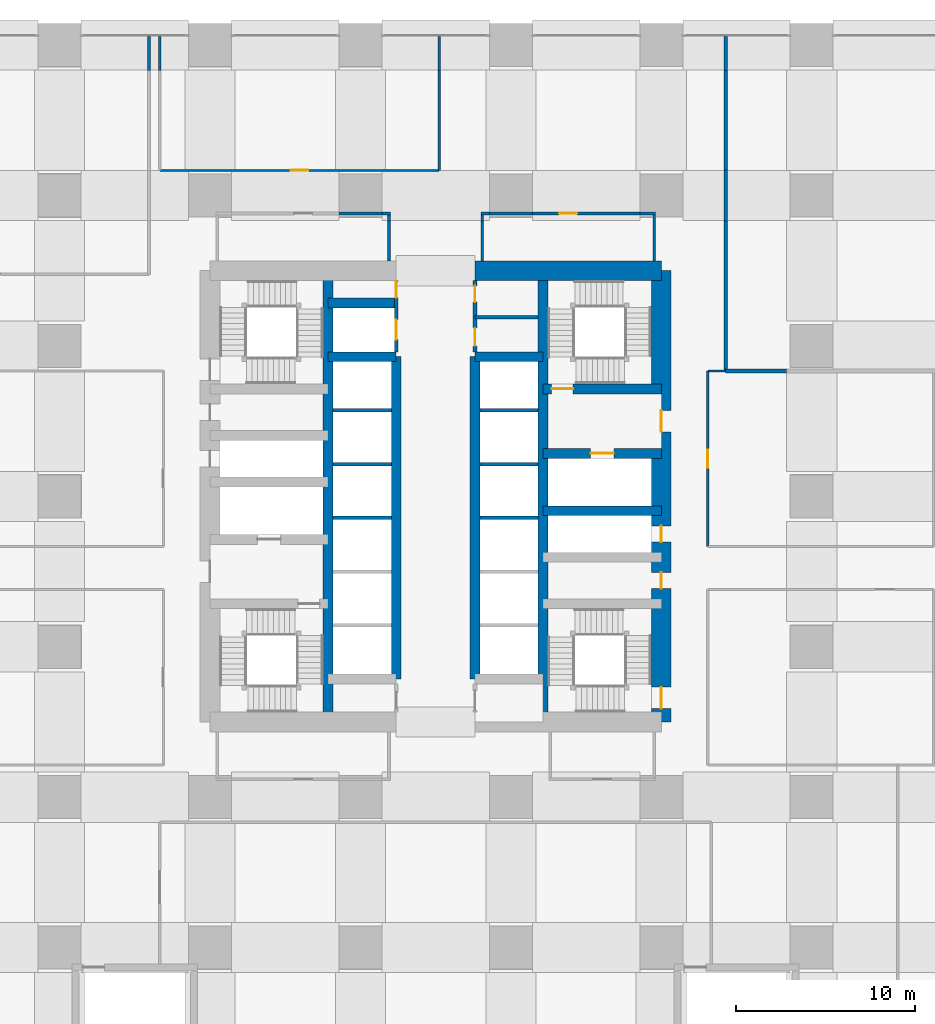
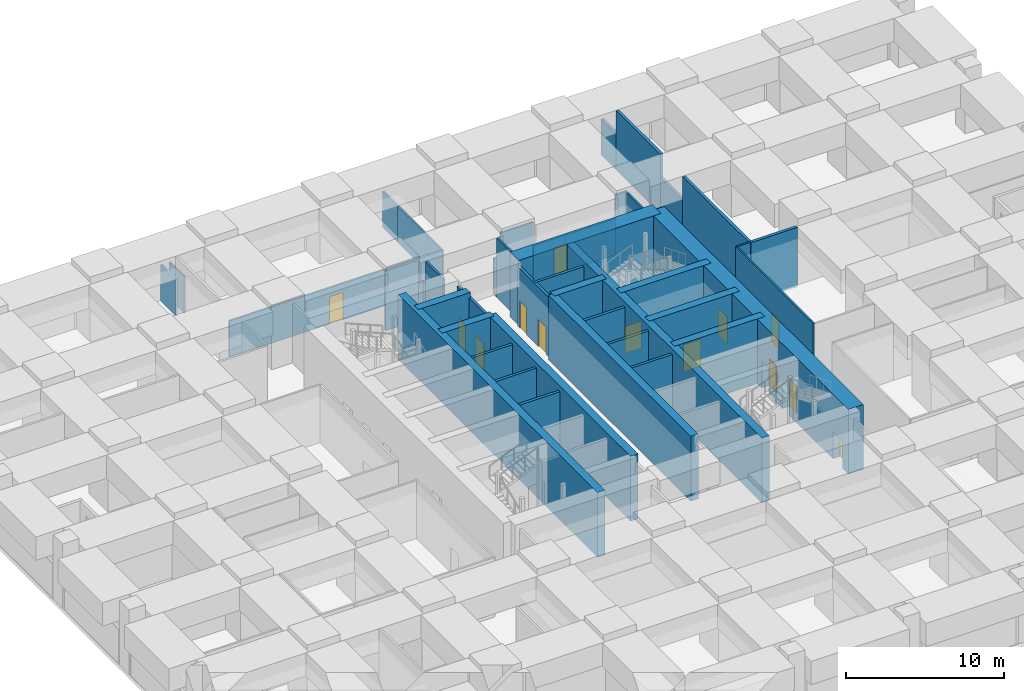
# One storey, part 41 of 52: 44 walls, 13 doors, 13 openings.
"""IFC4 building model written with IfcOpenShell, lengths in metres."""

from ifc_helpers import new_model, si_unit, direction, frame, frame_2d, origin, place, context, subcontext, project, spatial, rectangle, extrude, material, layer, layer_set, type_object, element, fill, save


model = new_model("IFC4")

# Units and contexts
model_context = context("Model", 3, precision=1e-05, world=origin(), true_north=direction((0.0, 1.0)))
body_context = subcontext(model_context, "Body", "Model", "MODEL_VIEW")
ifc_project = project(units=[si_unit("LENGTHUNIT", "METRE"), si_unit("AREAUNIT", "SQUARE_METRE"), si_unit("VOLUMEUNIT", "CUBIC_METRE"), si_unit("PLANEANGLEUNIT", "RADIAN"), si_unit("MASSUNIT", "GRAM", prefix="KILO")], contexts=[model_context])

# Site, building, storey
site_placement = place(None, origin())
site = spatial("IfcSite", under=ifc_project, at=site_placement, CompositionType="ELEMENT")
building_placement = place(site_placement, origin())
building = spatial("IfcBuilding", under=site, at=building_placement, Name="Rekha Terrace Tower", CompositionType="ELEMENT")
storey_placement = place(building_placement, frame((0.0, 0.0, 20.39990234375)))
storey = spatial("IfcBuildingStorey", under=building, at=storey_placement, Name="L04", CompositionType="ELEMENT", Elevation=20.39990234375)

# Walls
ifc_material_1 = material(Name="Concrete M70", Category="concrete")
ifc_layer_1 = layer(ifc_material_1, 0.550048828125)
ifc_layer_set_1 = layer_set([ifc_layer_1], Name="Concrete M70")
wall_type_1 = type_object("IfcWallType", Name="CI1 550 core internal shear wall", PredefinedType="SHEAR", material=ifc_layer_set_1)
for number, where, z_axis, x_axis, name in (
    (1, (31.800048828125, 21.0, 0.0), (0.0, 0.0, 1.0), (0.0, 1.0, 0.0), "Core wall X318 L04"),
    (2, (43.800048828125, 21.0, 0.0), (0.0, 0.0, 1.0), (0.0, 1.0, 0.0), "Core wall X438 L04"),
):
    element("IfcWall", number, at=place(storey_placement, frame(where, z_axis=z_axis, x_axis=x_axis)), inside=storey, type_object=wall_type_1, Name=name, PredefinedType="SHEAR", context=body_context, shape_type="SweptSolid", body=[
        extrude(rectangle(XDim=25.199951171875, YDim=0.550048828125, at=frame_2d((12.60009765625, 0.0))), origin(), (0.0, 0.0, 1.0), 5.0),
    ])
for number, where, z_axis, x_axis, name in (
    (3, (35.60009765625, 23.39990234375, 0.0), (0.0, 0.0, 1.0), (0.0, 1.0, 0.0), "Core wall X356 L04"),
    (4, (40.0, 23.39990234375, 0.0), (0.0, 0.0, 1.0), (0.0, 1.0, 0.0), "Core wall X400 L04"),
):
    element("IfcWall", number, at=place(storey_placement, frame(where, z_axis=z_axis, x_axis=x_axis)), inside=storey, type_object=wall_type_1, Name=name, PredefinedType="SHEAR", context=body_context, shape_type="SweptSolid", body=[
        extrude(rectangle(XDim=18.0, YDim=0.550048828125, at=frame_2d((9.0, 0.0))), origin(), (0.0, 0.0, 1.0), 5.0),
    ])
for number, where, z_axis, x_axis, name in (
    (5, (31.800048828125, 41.39990234375, 0.0), (0.0, 0.0, 1.0), (1.0, 0.0, 0.0), "Core wall Y414W L04"),
    (6, (31.800048828125, 44.39990234375, 0.0), (0.0, 0.0, 1.0), (1.0, 0.0, 0.0), "Core wall Y444W L04"),
    (7, (40.0, 41.39990234375, 0.0), (0.0, 0.0, 1.0), (1.0, 0.0, 0.0), "Core wall Y414E L04"),
):
    element("IfcWall", number, at=place(storey_placement, frame(where, z_axis=z_axis, x_axis=x_axis)), inside=storey, type_object=wall_type_1, Name=name, PredefinedType="SHEAR", context=body_context, shape_type="SweptSolid", body=[
        extrude(rectangle(XDim=3.800048828125, YDim=0.550048828125, at=frame_2d((1.89990234375, 0.0))), origin(), (0.0, 0.0, 1.0), 5.0),
    ])
wall_1_placement = place(storey_placement, frame((43.800048828125, 32.800048828125, 0.0), z_axis=(0.0, 0.0, 1.0), x_axis=(1.0, 0.0, 0.0)))
element("IfcWall", 8, at=wall_1_placement, inside=storey, type_object=wall_type_1, Name="Core wall Y328E L04", PredefinedType="SHEAR", context=body_context, shape_type="SweptSolid", body=[
    extrude(rectangle(XDim=6.599853515625, YDim=0.550048828125, at=frame_2d((3.2998046875, 0.0))), origin(), (0.0, 0.0, 1.0), 5.0),
])

# Wall, opening, door
wall_2_placement = place(storey_placement, frame((43.800048828125, 36.0, 0.0), z_axis=(0.0, 0.0, 1.0), x_axis=(1.0, 0.0, 0.0)))
wall_2 = element("IfcWall", 9, at=wall_2_placement, inside=storey, type_object=wall_type_1, Name="Core wall Y360E L04", PredefinedType="SHEAR", context=body_context, shape_type="SweptSolid", body=[
    extrude(rectangle(XDim=6.599853515625, YDim=0.550048828125, at=frame_2d((3.2998046875, 0.0))), origin(), (0.0, 0.0, 1.0), 5.0),
])
opening_1_placement = place(wall_2_placement, frame((2.64990234375, 0.0, 0.0)))
opening_1 = element("IfcOpeningElement", 10, at=opening_1_placement, cuts=wall_2, Name="Opening LD2", PredefinedType="OPENING", context=body_context, shape_type="SweptSolid", body=[
    extrude(rectangle(XDim=1.300048828125, YDim=2.10009765625, at=frame_2d((0.64990234375, 1.050048828125))), frame((0.0, 0.284912109375, 0.0), z_axis=(0.0, -1.0, 0.0), x_axis=(1.0, 0.0, 0.0)), (0.0, 0.0, 1.0), 0.570068359375),
])
ifc_material_2 = material(Name="Stainless steel sliding landing door", Category="steel")
door_type_1 = type_object("IfcDoorType", Name="LD2 1300x2100 fire lift landing door", OperationType="SLIDING_TO_LEFT", PredefinedType="USERDEFINED", material=ifc_material_2)
door_1_placement = place(opening_1_placement, origin())
door_1 = element("IfcDoor", 11, at=door_1_placement, inside=storey, type_object=door_type_1, Name="Lift FL2 landing door L04", ObjectType="LIFT LANDING DOOR", OperationType="SLIDING_TO_LEFT", OverallHeight=2.10009765625, OverallWidth=1.300048828125, PredefinedType="USERDEFINED", context=body_context, shape_type="SweptSolid", body=[
    extrude(rectangle(XDim=1.300048828125, YDim=2.10009765625, at=frame_2d((0.64990234375, 1.050048828125))), frame((0.0, 0.02490234375, 0.0), z_axis=(0.0, -1.0, 0.0), x_axis=(1.0, 0.0, 0.0)), (0.0, 0.0, 1.0), 0.050048828125),
])
fill(opening_1, door_1)

wall_3_placement = place(storey_placement, frame((43.800048828125, 39.60009765625, 0.0), z_axis=(0.0, 0.0, 1.0), x_axis=(1.0, 0.0, 0.0)))
wall_3 = element("IfcWall", 12, at=wall_3_placement, inside=storey, type_object=wall_type_1, Name="Core wall Y396E L04", PredefinedType="SHEAR", context=body_context, shape_type="SweptSolid", body=[
    extrude(rectangle(XDim=6.599853515625, YDim=0.550048828125, at=frame_2d((3.2998046875, 0.0))), origin(), (0.0, 0.0, 1.0), 5.0),
])
opening_2_placement = place(wall_3_placement, frame((0.47509765625, 0.0, 0.0)))
opening_2 = element("IfcOpeningElement", 13, at=opening_2_placement, cuts=wall_3, Name="Opening D1", PredefinedType="OPENING", context=body_context, shape_type="SweptSolid", body=[
    extrude(rectangle(XDim=1.199951171875, YDim=2.10009765625, at=frame_2d((0.60009765625, 1.050048828125))), frame((0.0, 0.284912109375, 0.0), z_axis=(0.0, -1.0, 0.0), x_axis=(1.0, 0.0, 0.0)), (0.0, 0.0, 1.0), 0.570068359375),
])
ifc_material_3 = material(Name="Steel fire door", Category="steel")
door_type_2 = type_object("IfcDoorType", Name="D1 1200x2100 stair fire door", OperationType="SINGLE_SWING_RIGHT", PredefinedType="DOOR", material=ifc_material_3)
door_2_placement = place(opening_2_placement, origin())
door_2 = element("IfcDoor", 14, at=door_2_placement, inside=storey, type_object=door_type_2, Name="Stair ST2 door L04", OperationType="SINGLE_SWING_RIGHT", OverallHeight=2.10009765625, OverallWidth=1.199951171875, PredefinedType="DOOR", context=body_context, shape_type="SweptSolid", body=[
    extrude(rectangle(XDim=1.199951171875, YDim=2.10009765625, at=frame_2d((0.60009765625, 1.050048828125))), frame((0.0, 0.02490234375, 0.0), z_axis=(0.0, -1.0, 0.0), x_axis=(1.0, 0.0, 0.0)), (0.0, 0.0, 1.0), 0.050048828125),
])
fill(opening_2, door_2)

# Wall
ifc_layer_2 = layer(ifc_material_1, 1.10009765625)
ifc_layer_set_2 = layer_set([ifc_layer_2], Name="Concrete M70")
wall_type_2 = type_object("IfcWallType", Name="SW1 1100 core outer shear wall", PredefinedType="SHEAR", material=ifc_layer_set_2)
wall_4_placement = place(storey_placement, frame((40.0, 46.199951171875, 0.0), z_axis=(0.0, 0.0, 1.0), x_axis=(1.0, 0.0, 0.0)))
element("IfcWall", 15, at=wall_4_placement, inside=storey, type_object=wall_type_2, Name="Core wall N2 L04", PredefinedType="SHEAR", context=body_context, shape_type="SweptSolid", body=[
    extrude(rectangle(XDim=10.39990234375, YDim=1.10009765625, at=frame_2d((5.199951171875, 0.0))), origin(), (0.0, 0.0, 1.0), 5.0),
])

# Wall, openings, doors
wall_5_placement = place(storey_placement, frame((50.39990234375, 21.0, 0.0), z_axis=(0.0, 0.0, 1.0), x_axis=(0.0, 1.0, 0.0)))
wall_5 = element("IfcWall", 16, at=wall_5_placement, inside=storey, type_object=wall_type_2, Name="Core wall E L04", PredefinedType="SHEAR", context=body_context, shape_type="SweptSolid", body=[
    extrude(rectangle(XDim=25.199951171875, YDim=1.10009765625, at=frame_2d((12.60009765625, 0.0))), origin(), (0.0, 0.0, 1.0), 5.0),
])
opening_3_placement = place(wall_5_placement, frame((16.199951171875, 0.0, 0.0)))
opening_3 = element("IfcOpeningElement", 17, at=opening_3_placement, cuts=wall_5, Name="Opening D2", PredefinedType="OPENING", context=body_context, shape_type="SweptSolid", body=[
    extrude(rectangle(XDim=1.199951171875, YDim=2.10009765625, at=frame_2d((0.60009765625, 1.050048828125))), frame((0.0, 0.56005859375, 0.0), z_axis=(0.0, -1.0, 0.0), x_axis=(1.0, 0.0, 0.0)), (0.0, 0.0, 1.0), 1.1201171875),
])
opening_4_placement = place(wall_5_placement, frame((10.050048828125, 0.0, 0.0)))
opening_4 = element("IfcOpeningElement", 18, at=opening_4_placement, cuts=wall_5, Name="Opening D5", PredefinedType="OPENING", context=body_context, shape_type="SweptSolid", body=[
    extrude(rectangle(XDim=0.89990234375, YDim=2.10009765625, at=frame_2d((0.449951171875, 1.050048828125))), frame((0.0, 0.56005859375, 0.0), z_axis=(0.0, -1.0, 0.0), x_axis=(1.0, 0.0, 0.0)), (0.0, 0.0, 1.0), 1.1201171875),
])
opening_5_placement = place(wall_5_placement, frame((7.449951171875, 0.0, 0.0)))
opening_5 = element("IfcOpeningElement", 19, at=opening_5_placement, cuts=wall_5, Name="Opening D5", PredefinedType="OPENING", context=body_context, shape_type="SweptSolid", body=[
    extrude(rectangle(XDim=0.89990234375, YDim=2.10009765625, at=frame_2d((0.449951171875, 1.050048828125))), frame((0.0, 0.56005859375, 0.0), z_axis=(0.0, -1.0, 0.0), x_axis=(1.0, 0.0, 0.0)), (0.0, 0.0, 1.0), 1.1201171875),
])
opening_6_placement = place(wall_5_placement, frame((0.75, 0.0, 0.0)))
opening_6 = element("IfcOpeningElement", 20, at=opening_6_placement, cuts=wall_5, Name="Opening D1", PredefinedType="OPENING", context=body_context, shape_type="SweptSolid", body=[
    extrude(rectangle(XDim=1.199951171875, YDim=2.10009765625, at=frame_2d((0.60009765625, 1.050048828125))), frame((0.0, 0.56005859375, 0.0), z_axis=(0.0, -1.0, 0.0), x_axis=(1.0, 0.0, 0.0)), (0.0, 0.0, 1.0), 1.1201171875),
])
door_3_placement = place(opening_6_placement, origin())
door_3 = element("IfcDoor", 21, at=door_3_placement, inside=storey, type_object=door_type_2, Name="Stair ST3 door L04", OperationType="SINGLE_SWING_RIGHT", OverallHeight=2.10009765625, OverallWidth=1.199951171875, PredefinedType="DOOR", context=body_context, shape_type="SweptSolid", body=[
    extrude(rectangle(XDim=1.199951171875, YDim=2.10009765625, at=frame_2d((0.60009765625, 1.050048828125))), frame((0.0, 0.02490234375, 0.0), z_axis=(0.0, -1.0, 0.0), x_axis=(1.0, 0.0, 0.0)), (0.0, 0.0, 1.0), 0.050048828125),
])
fill(opening_6, door_3)
door_type_3 = type_object("IfcDoorType", Name="D2 1200x2100 firefighting lobby door", OperationType="SINGLE_SWING_LEFT", PredefinedType="DOOR", material=ifc_material_3)
door_4_placement = place(opening_3_placement, origin())
door_4 = element("IfcDoor", 22, at=door_4_placement, inside=storey, type_object=door_type_3, Name="Door flb2 L04", OperationType="SINGLE_SWING_LEFT", OverallHeight=2.10009765625, OverallWidth=1.199951171875, PredefinedType="DOOR", context=body_context, shape_type="SweptSolid", body=[
    extrude(rectangle(XDim=1.199951171875, YDim=2.10009765625, at=frame_2d((0.60009765625, 1.050048828125))), frame((0.0, 0.02490234375, 0.0), z_axis=(0.0, -1.0, 0.0), x_axis=(1.0, 0.0, 0.0)), (0.0, 0.0, 1.0), 0.050048828125),
])
fill(opening_3, door_4)
door_type_4 = type_object("IfcDoorType", Name="D5 900x2100 riser access door", OperationType="SINGLE_SWING_LEFT", PredefinedType="DOOR", material=ifc_material_3)
door_5_placement = place(opening_4_placement, origin())
door_5 = element("IfcDoor", 23, at=door_5_placement, inside=storey, type_object=door_type_4, Name="Door rs2 L04", OperationType="SINGLE_SWING_LEFT", OverallHeight=2.10009765625, OverallWidth=0.89990234375, PredefinedType="DOOR", context=body_context, shape_type="SweptSolid", body=[
    extrude(rectangle(XDim=0.89990234375, YDim=2.10009765625, at=frame_2d((0.449951171875, 1.050048828125))), frame((0.0, 0.02490234375, 0.0), z_axis=(0.0, -1.0, 0.0), x_axis=(1.0, 0.0, 0.0)), (0.0, 0.0, 1.0), 0.050048828125),
])
fill(opening_4, door_5)
door_6_placement = place(opening_5_placement, origin())
door_6 = element("IfcDoor", 24, at=door_6_placement, inside=storey, type_object=door_type_4, Name="Door ele L04", OperationType="SINGLE_SWING_LEFT", OverallHeight=2.10009765625, OverallWidth=0.89990234375, PredefinedType="DOOR", context=body_context, shape_type="SweptSolid", body=[
    extrude(rectangle(XDim=0.89990234375, YDim=2.10009765625, at=frame_2d((0.449951171875, 1.050048828125))), frame((0.0, 0.02490234375, 0.0), z_axis=(0.0, -1.0, 0.0), x_axis=(1.0, 0.0, 0.0)), (0.0, 0.0, 1.0), 0.050048828125),
])
fill(opening_5, door_6)

# Walls
ifc_material_4 = material(Name="Solid concrete block masonry, 2 hour", Category="masonry")
ifc_layer_3 = layer(ifc_material_4, 0.199951171875)
ifc_layer_set_3 = layer_set([ifc_layer_3], Name="Solid concrete block masonry, 2 hour")
wall_type_3 = type_object("IfcWallType", Name="WP1 200 plant room wall", PredefinedType="PARTITIONING", material=ifc_layer_set_3)
wall_6_placement = place(storey_placement, frame((57.389892578125, 40.60009765625, 0.0), z_axis=(0.0, 0.0, 1.0), x_axis=(-1.0, 0.0, 0.0)))
element("IfcWall", 25, at=wall_6_placement, inside=storey, type_object=wall_type_3, Name="Partition L04-04", PredefinedType="PARTITIONING", context=body_context, shape_type="SweptSolid", body=[
    extrude(rectangle(XDim=3.389892578125, YDim=0.199951171875, at=frame_2d((1.69482421875, 0.0))), origin(), (0.0, 0.0, 1.0), 4.60009765625),
])
wall_7_placement = place(storey_placement, frame((54.0, 40.60009765625, 0.0), z_axis=(0.0, 0.0, 1.0), x_axis=(0.0, 1.0, 0.0)))
element("IfcWall", 26, at=wall_7_placement, inside=storey, type_object=wall_type_3, Name="Partition L04-04", PredefinedType="PARTITIONING", context=body_context, shape_type="SweptSolid", body=[
    extrude(rectangle(XDim=8.389892578125, YDim=0.199951171875, at=frame_2d((4.19482421875, 0.0))), origin(), (0.0, 0.0, 1.0), 4.60009765625),
])
wall_8_placement = place(storey_placement, frame((54.0, 48.989990234375, 0.0), z_axis=(0.0, 0.0, 1.0), x_axis=(0.0, 1.0, 0.0)))
element("IfcWall", 27, at=wall_8_placement, inside=storey, type_object=wall_type_3, Name="Partition L04-04", PredefinedType="PARTITIONING", context=body_context, shape_type="SweptSolid", body=[
    extrude(rectangle(XDim=2.820068359375, YDim=0.199951171875, at=frame_2d((1.41015625, 0.0))), origin(), (0.0, 0.0, 1.0), 2.800048828125),
])
wall_9_placement = place(storey_placement, frame((54.0, 51.81005859375, 0.0), z_axis=(0.0, 0.0, 1.0), x_axis=(0.0, 1.0, 0.0)))
element("IfcWall", 28, at=wall_9_placement, inside=storey, type_object=wall_type_3, Name="Partition L04-04", PredefinedType="PARTITIONING", context=body_context, shape_type="SweptSolid", body=[
    extrude(rectangle(XDim=5.579833984375, YDim=0.199951171875, at=frame_2d((2.7900390625, 0.0))), origin(), (0.0, 0.0, 1.0), 4.60009765625),
])
wall_10_placement = place(storey_placement, frame((54.0, 57.389892578125, 0.0), z_axis=(0.0, 0.0, 1.0), x_axis=(0.0, 1.0, 0.0)))
element("IfcWall", 29, at=wall_10_placement, inside=storey, type_object=wall_type_3, Name="Partition L04-04", PredefinedType="PARTITIONING", context=body_context, shape_type="SweptSolid", body=[
    extrude(rectangle(XDim=1.900146484375, YDim=0.199951171875, at=frame_2d((0.9501953125, 0.0))), origin(), (0.0, 0.0, 1.0), 2.800048828125),
])
ifc_material_5 = material(Name="Concrete block masonry, 1 hour", Category="masonry")
ifc_layer_4 = layer(ifc_material_5, 0.14990234375)
ifc_layer_set_4 = layer_set([ifc_layer_4], Name="Concrete block masonry, 1 hour")
wall_type_4 = type_object("IfcWallType", Name="WP2 150 tenancy partition", PredefinedType="PARTITIONING", material=ifc_layer_set_4)
wall_11_placement = place(storey_placement, frame((40.324951171875, 49.39990234375, 0.0), z_axis=(0.0, 0.0, 1.0), x_axis=(1.0, 0.0, 0.0)))
element("IfcWall", 30, at=wall_11_placement, inside=storey, type_object=wall_type_4, Name="Women's WC wall L04", PredefinedType="PARTITIONING", context=body_context, shape_type="SweptSolid", body=[
    extrude(rectangle(XDim=0.47509765625, YDim=0.14990234375, at=frame_2d((0.237548828125, 0.0))), origin(), (0.0, 0.0, 1.0), 2.800048828125),
])
wall_12_placement = place(storey_placement, frame((40.800048828125, 49.39990234375, 0.0), z_axis=(0.0, 0.0, 1.0), x_axis=(1.0, 0.0, 0.0)))
element("IfcWall", 31, at=wall_12_placement, inside=storey, type_object=wall_type_4, Name="Women's WC wall L04", PredefinedType="PARTITIONING", context=body_context, shape_type="SweptSolid", body=[
    extrude(rectangle(XDim=2.39990234375, YDim=0.14990234375, at=frame_2d((1.199951171875, 0.0))), origin(), (0.0, 0.0, 1.0), 4.60009765625),
])

# Wall, opening, door
wall_13_placement = place(storey_placement, frame((43.199951171875, 49.39990234375, 0.0), z_axis=(0.0, 0.0, 1.0), x_axis=(1.0, 0.0, 0.0)))
wall_13 = element("IfcWall", 32, at=wall_13_placement, inside=storey, type_object=wall_type_4, Name="Women's WC wall L04", PredefinedType="PARTITIONING", context=body_context, shape_type="SweptSolid", body=[
    extrude(rectangle(XDim=6.0, YDim=0.14990234375, at=frame_2d((3.0, 0.0))), origin(), (0.0, 0.0, 1.0), 2.800048828125),
])
opening_7_placement = place(wall_13_placement, frame((1.5, 0.0, 0.0)))
opening_7 = element("IfcOpeningElement", 33, at=opening_7_placement, cuts=wall_13, Name="Opening D3", PredefinedType="OPENING", context=body_context, shape_type="SweptSolid", body=[
    extrude(rectangle(XDim=1.0, YDim=2.10009765625, at=frame_2d((0.5, 1.050048828125))), frame((0.0, 0.0849609375, 0.0), z_axis=(0.0, -1.0, 0.0), x_axis=(1.0, 0.0, 0.0)), (0.0, 0.0, 1.0), 0.169921875),
])
ifc_material_6 = material(Name="Laminated timber fire door", Category="wood")
door_type_5 = type_object("IfcDoorType", Name="D3 1000x2100 WC door", OperationType="SINGLE_SWING_LEFT", PredefinedType="DOOR", material=ifc_material_6)
door_7_placement = place(opening_7_placement, origin())
door_7 = element("IfcDoor", 34, at=door_7_placement, inside=storey, type_object=door_type_5, Name="Door women's wc L04", OperationType="SINGLE_SWING_LEFT", OverallHeight=2.10009765625, OverallWidth=1.0, PredefinedType="DOOR", context=body_context, shape_type="SweptSolid", body=[
    extrude(rectangle(XDim=1.0, YDim=2.10009765625, at=frame_2d((0.5, 1.050048828125))), frame((0.0, 0.02490234375, 0.0), z_axis=(0.0, -1.0, 0.0), x_axis=(1.0, 0.0, 0.0)), (0.0, 0.0, 1.0), 0.050048828125),
])
fill(opening_7, door_7)

# Walls
wall_14_placement = place(storey_placement, frame((49.199951171875, 49.39990234375, 0.0), z_axis=(0.0, 0.0, 1.0), x_axis=(1.0, 0.0, 0.0)))
element("IfcWall", 35, at=wall_14_placement, inside=storey, type_object=wall_type_4, Name="Women's WC wall L04", PredefinedType="PARTITIONING", context=body_context, shape_type="SweptSolid", body=[
    extrude(rectangle(XDim=0.875, YDim=0.14990234375, at=frame_2d((0.4375, 0.0))), origin(), (0.0, 0.0, 1.0), 4.60009765625),
])
wall_15_placement = place(storey_placement, frame((40.39990234375, 46.75, 0.0), z_axis=(0.0, 0.0, 1.0), x_axis=(0.0, 1.0, 0.0)))
element("IfcWall", 36, at=wall_15_placement, inside=storey, type_object=wall_type_4, Name="Women's WC wall L04", PredefinedType="PARTITIONING", context=body_context, shape_type="SweptSolid", body=[
    extrude(rectangle(XDim=2.239990234375, YDim=0.14990234375, at=frame_2d((1.1201171875, 0.0))), origin(), (0.0, 0.0, 1.0), 4.60009765625),
])
wall_16_placement = place(storey_placement, frame((40.39990234375, 48.989990234375, 0.0), z_axis=(0.0, 0.0, 1.0), x_axis=(0.0, 1.0, 0.0)))
element("IfcWall", 37, at=wall_16_placement, inside=storey, type_object=wall_type_4, Name="Women's WC wall L04", PredefinedType="PARTITIONING", context=body_context, shape_type="SweptSolid", body=[
    extrude(rectangle(XDim=0.3349609375, YDim=0.14990234375, at=frame_2d((0.16748046875, 0.0))), origin(), (0.0, 0.0, 1.0), 2.800048828125),
])
wall_17_placement = place(storey_placement, frame((50.0, 46.75, 0.0), z_axis=(0.0, 0.0, 1.0), x_axis=(0.0, 1.0, 0.0)))
element("IfcWall", 38, at=wall_17_placement, inside=storey, type_object=wall_type_4, Name="Women's WC wall L04", PredefinedType="PARTITIONING", context=body_context, shape_type="SweptSolid", body=[
    extrude(rectangle(XDim=2.574951171875, YDim=0.14990234375, at=frame_2d((1.28759765625, 0.0))), origin(), (0.0, 0.0, 1.0), 4.60009765625),
])
wall_18_placement = place(storey_placement, frame((32.39990234375, 49.39990234375, 0.0), z_axis=(0.0, 0.0, 1.0), x_axis=(1.0, 0.0, 0.0)))
element("IfcWall", 39, at=wall_18_placement, inside=storey, type_object=wall_type_4, Name="Women's WC wall L04", PredefinedType="PARTITIONING", context=body_context, shape_type="SweptSolid", body=[
    extrude(rectangle(XDim=2.400146484375, YDim=0.14990234375, at=frame_2d((1.2001953125, 0.0))), origin(), (0.0, 0.0, 1.0), 4.60009765625),
])
wall_19_placement = place(storey_placement, frame((34.800048828125, 49.39990234375, 0.0), z_axis=(0.0, 0.0, 1.0), x_axis=(1.0, 0.0, 0.0)))
element("IfcWall", 40, at=wall_19_placement, inside=storey, type_object=wall_type_4, Name="Women's WC wall L04", PredefinedType="PARTITIONING", context=body_context, shape_type="SweptSolid", body=[
    extrude(rectangle(XDim=0.474853515625, YDim=0.14990234375, at=frame_2d((0.2373046875, 0.0))), origin(), (0.0, 0.0, 1.0), 2.800048828125),
])
wall_20_placement = place(storey_placement, frame((35.199951171875, 46.75, 0.0), z_axis=(0.0, 0.0, 1.0), x_axis=(0.0, 1.0, 0.0)))
element("IfcWall", 41, at=wall_20_placement, inside=storey, type_object=wall_type_4, Name="Women's WC wall L04", PredefinedType="PARTITIONING", context=body_context, shape_type="SweptSolid", body=[
    extrude(rectangle(XDim=2.239990234375, YDim=0.14990234375, at=frame_2d((1.1201171875, 0.0))), origin(), (0.0, 0.0, 1.0), 4.60009765625),
])
wall_21_placement = place(storey_placement, frame((35.199951171875, 48.989990234375, 0.0), z_axis=(0.0, 0.0, 1.0), x_axis=(0.0, 1.0, 0.0)))
element("IfcWall", 42, at=wall_21_placement, inside=storey, type_object=wall_type_4, Name="Women's WC wall L04", PredefinedType="PARTITIONING", context=body_context, shape_type="SweptSolid", body=[
    extrude(rectangle(XDim=0.3349609375, YDim=0.14990234375, at=frame_2d((0.16748046875, 0.0))), origin(), (0.0, 0.0, 1.0), 2.800048828125),
])
wall_22_placement = place(storey_placement, frame((21.800048828125, 59.2900390625, 0.0), z_axis=(0.0, 0.0, 1.0), x_axis=(0.0, -1.0, 0.0)))
element("IfcWall", 43, at=wall_22_placement, inside=storey, type_object=wall_type_4, Name="Partition L04-03", PredefinedType="PARTITIONING", context=body_context, shape_type="SweptSolid", body=[
    extrude(rectangle(XDim=1.900146484375, YDim=0.14990234375, at=frame_2d((0.9501953125, 0.0))), origin(), (0.0, 0.0, 1.0), 2.800048828125),
])

# Wall, opening, door
ifc_material_7 = material(Name="Two layers of fire-rated gypsum board each side on steel studs, acoustic quilt, 1 hour", Category="steel")
ifc_layer_5 = layer(ifc_material_7, 0.125)
ifc_layer_set_5 = layer_set([ifc_layer_5], Name="Two layers of fire-rated gypsum board each side on steel studs, acoustic quilt, 1 hour")
wall_type_5 = type_object("IfcWallType", Name="WP3 125 office partition", PredefinedType="PARTITIONING", material=ifc_layer_set_5)
wall_23_placement = place(storey_placement, frame((53.0, 30.800048828125, 0.0), z_axis=(0.0, 0.0, 1.0), x_axis=(0.0, 1.0, 0.0)))
wall_23 = element("IfcWall", 44, at=wall_23_placement, inside=storey, type_object=wall_type_5, Name="Partition L04-10", PredefinedType="PARTITIONING", context=body_context, shape_type="SweptSolid", body=[
    extrude(rectangle(XDim=9.800048828125, YDim=0.125, at=frame_2d((4.89990234375, 0.0))), origin(), (0.0, 0.0, 1.0), 4.60009765625),
])
opening_8_placement = place(wall_23_placement, frame((4.39990234375, 0.0, 0.0)))
opening_8 = element("IfcOpeningElement", 45, at=opening_8_placement, cuts=wall_23, Name="Opening D9", PredefinedType="OPENING", context=body_context, shape_type="SweptSolid", body=[
    extrude(rectangle(XDim=1.0, YDim=2.10009765625, at=frame_2d((0.5, 1.050048828125))), frame((0.0, 0.072509765625, 0.0), z_axis=(0.0, -1.0, 0.0), x_axis=(1.0, 0.0, 0.0)), (0.0, 0.0, 1.0), 0.14501953125),
])
ifc_material_8 = material(Name="Timber fire door", Category="wood")
door_type_6 = type_object("IfcDoorType", Name="D9 1000x2100 office door", OperationType="SINGLE_SWING_LEFT", PredefinedType="DOOR", material=ifc_material_8)
door_8_placement = place(opening_8_placement, origin())
door_8 = element("IfcDoor", 46, at=door_8_placement, inside=storey, type_object=door_type_6, Name="Door business centre office L04", OperationType="SINGLE_SWING_LEFT", OverallHeight=2.10009765625, OverallWidth=1.0, PredefinedType="DOOR", context=body_context, shape_type="SweptSolid", body=[
    extrude(rectangle(XDim=1.0, YDim=2.10009765625, at=frame_2d((0.5, 1.050048828125))), frame((0.0, 0.02490234375, 0.0), z_axis=(0.0, -1.0, 0.0), x_axis=(1.0, 0.0, 0.0)), (0.0, 0.0, 1.0), 0.050048828125),
])
fill(opening_8, door_8)

# Wall
wall_24_placement = place(storey_placement, frame((53.0, 40.60009765625, 0.0), z_axis=(0.0, 0.0, 1.0), x_axis=(1.0, 0.0, 0.0)))
element("IfcWall", 47, at=wall_24_placement, inside=storey, type_object=wall_type_5, Name="Partition L04-10", PredefinedType="PARTITIONING", context=body_context, shape_type="SweptSolid", body=[
    extrude(rectangle(XDim=1.0, YDim=0.125, at=frame_2d((0.5, 0.0))), origin(), (0.0, 0.0, 1.0), 4.60009765625),
])

# Wall, opening, door
wall_25_placement = place(storey_placement, frame((38.0, 51.800048828125, 0.0), z_axis=(0.0, 0.0, 1.0), x_axis=(-1.0, 0.0, 0.0)))
wall_25 = element("IfcWall", 48, at=wall_25_placement, inside=storey, type_object=wall_type_5, Name="Partition L04-11", PredefinedType="PARTITIONING", context=body_context, shape_type="SweptSolid", body=[
    extrude(rectangle(XDim=15.60009765625, YDim=0.125, at=frame_2d((7.800048828125, 0.0))), origin(), (0.0, 0.0, 1.0), 2.800048828125),
])
opening_9_placement = place(wall_25_placement, frame((7.300048828125, 0.0, 0.0)))
opening_9 = element("IfcOpeningElement", 49, at=opening_9_placement, cuts=wall_25, Name="Opening D9", PredefinedType="OPENING", context=body_context, shape_type="SweptSolid", body=[
    extrude(rectangle(XDim=1.0, YDim=2.10009765625, at=frame_2d((0.5, 1.050048828125))), frame((0.0, 0.072509765625, 0.0), z_axis=(0.0, -1.0, 0.0), x_axis=(1.0, 0.0, 0.0)), (0.0, 0.0, 1.0), 0.14501953125),
])
door_9_placement = place(opening_9_placement, origin())
door_9 = element("IfcDoor", 50, at=door_9_placement, inside=storey, type_object=door_type_6, Name="Door business centre office L04", OperationType="SINGLE_SWING_LEFT", OverallHeight=2.10009765625, OverallWidth=1.0, PredefinedType="DOOR", context=body_context, shape_type="SweptSolid", body=[
    extrude(rectangle(XDim=1.0, YDim=2.10009765625, at=frame_2d((0.5, 1.050048828125))), frame((0.0, 0.02490234375, 0.0), z_axis=(0.0, -1.0, 0.0), x_axis=(1.0, 0.0, 0.0)), (0.0, 0.0, 1.0), 0.050048828125),
])
fill(opening_9, door_9)

# Walls
for number, where, z_axis, x_axis, name in (
    (51, (22.39990234375, 57.389892578125, 0.0), (0.0, 0.0, 1.0), (0.0, 1.0, 0.0), "Partition L04-11"),
    (52, (38.0, 59.2900390625, 0.0), (0.0, 0.0, 1.0), (0.0, -1.0, 0.0), "Partition L04-11"),
):
    element("IfcWall", number, at=place(storey_placement, frame(where, z_axis=z_axis, x_axis=x_axis)), inside=storey, type_object=wall_type_5, Name=name, PredefinedType="PARTITIONING", context=body_context, shape_type="SweptSolid", body=[
        extrude(rectangle(XDim=1.900146484375, YDim=0.125, at=frame_2d((0.9501953125, 0.0))), origin(), (0.0, 0.0, 1.0), 2.800048828125),
    ])
wall_26_placement = place(storey_placement, frame((38.0, 57.389892578125, 0.0), z_axis=(0.0, 0.0, 1.0), x_axis=(0.0, -1.0, 0.0)))
element("IfcWall", 53, at=wall_26_placement, inside=storey, type_object=wall_type_5, Name="Partition L04-11", PredefinedType="PARTITIONING", context=body_context, shape_type="SweptSolid", body=[
    extrude(rectangle(XDim=5.58984375, YDim=0.125, at=frame_2d((2.794921875, 0.0))), origin(), (0.0, 0.0, 1.0), 2.800048828125),
])
ifc_layer_6 = layer(ifc_material_4, 0.199951171875)
ifc_layer_set_6 = layer_set([ifc_layer_6], Name="Solid concrete block masonry, 2 hour")
wall_type_6 = type_object("IfcWallType", Name="WS1 200 stair and shaft enclosure", PredefinedType="PARTITIONING", material=ifc_layer_set_6)
for number, where, z_axis, x_axis, name in (
    (54, (32.074951171875, 32.39990234375, 0.0), (0.0, 0.0, 1.0), (1.0, 0.0, 0.0), "Lift shaft divider L04"),
    (55, (32.074951171875, 35.39990234375, 0.0), (0.0, 0.0, 1.0), (1.0, 0.0, 0.0), "Lift shaft divider L04"),
    (56, (32.074951171875, 38.39990234375, 0.0), (0.0, 0.0, 1.0), (1.0, 0.0, 0.0), "Lift shaft divider L04"),
    (57, (40.27490234375, 32.39990234375, 0.0), (0.0, 0.0, 1.0), (1.0, 0.0, 0.0), "Lift shaft divider L04"),
    (58, (40.27490234375, 35.39990234375, 0.0), (0.0, 0.0, 1.0), (1.0, 0.0, 0.0), "Lift shaft divider L04"),
    (59, (40.27490234375, 38.39990234375, 0.0), (0.0, 0.0, 1.0), (1.0, 0.0, 0.0), "Lift shaft divider L04"),
):
    element("IfcWall", number, at=place(storey_placement, frame(where, z_axis=z_axis, x_axis=x_axis)), inside=storey, type_object=wall_type_6, Name=name, PredefinedType="PARTITIONING", context=body_context, shape_type="SweptSolid", body=[
        extrude(rectangle(XDim=3.25, YDim=0.199951171875, at=frame_2d((1.625, 0.0))), origin(), (0.0, 0.0, 1.0), 4.60009765625),
    ])

# Wall, openings, doors
wall_27_placement = place(storey_placement, frame((40.0, 41.675048828125, 0.0), z_axis=(0.0, 0.0, 1.0), x_axis=(0.0, 1.0, 0.0)))
wall_27 = element("IfcWall", 60, at=wall_27_placement, inside=storey, type_object=wall_type_6, Name="Core partition elec L04", PredefinedType="PARTITIONING", context=body_context, shape_type="SweptSolid", body=[
    extrude(rectangle(XDim=3.974853515625, YDim=0.199951171875, at=frame_2d((1.9873046875, 0.0))), origin(), (0.0, 0.0, 1.0), 4.60009765625),
])
opening_10_placement = place(wall_27_placement, frame((2.77490234375, 0.0, 0.0)))
opening_10 = element("IfcOpeningElement", 61, at=opening_10_placement, cuts=wall_27, Name="Opening D5", PredefinedType="OPENING", context=body_context, shape_type="SweptSolid", body=[
    extrude(rectangle(XDim=0.89990234375, YDim=2.10009765625, at=frame_2d((0.449951171875, 1.050048828125))), frame((0.0, 0.10986328125, 0.0), z_axis=(0.0, -1.0, 0.0), x_axis=(1.0, 0.0, 0.0)), (0.0, 0.0, 1.0), 0.219970703125),
])
opening_11_placement = place(wall_27_placement, frame((0.324951171875, 0.0, 0.0)))
opening_11 = element("IfcOpeningElement", 62, at=opening_11_placement, cuts=wall_27, Name="Opening D9", PredefinedType="OPENING", context=body_context, shape_type="SweptSolid", body=[
    extrude(rectangle(XDim=1.0, YDim=2.10009765625, at=frame_2d((0.5, 1.050048828125))), frame((0.0, 0.10986328125, 0.0), z_axis=(0.0, -1.0, 0.0), x_axis=(1.0, 0.0, 0.0)), (0.0, 0.0, 1.0), 0.219970703125),
])
door_10_placement = place(opening_10_placement, origin())
door_10 = element("IfcDoor", 63, at=door_10_placement, inside=storey, type_object=door_type_4, Name="Door electrical room L04", OperationType="SINGLE_SWING_LEFT", OverallHeight=2.10009765625, OverallWidth=0.89990234375, PredefinedType="DOOR", context=body_context, shape_type="SweptSolid", body=[
    extrude(rectangle(XDim=0.89990234375, YDim=2.10009765625, at=frame_2d((0.449951171875, 1.050048828125))), frame((0.0, 0.02490234375, 0.0), z_axis=(0.0, -1.0, 0.0), x_axis=(1.0, 0.0, 0.0)), (0.0, 0.0, 1.0), 0.050048828125),
])
fill(opening_10, door_10)
door_11_placement = place(opening_11_placement, origin())
door_11 = element("IfcDoor", 64, at=door_11_placement, inside=storey, type_object=door_type_6, Name="Door first aid room L04", OperationType="SINGLE_SWING_LEFT", OverallHeight=2.10009765625, OverallWidth=1.0, PredefinedType="DOOR", context=body_context, shape_type="SweptSolid", body=[
    extrude(rectangle(XDim=1.0, YDim=2.10009765625, at=frame_2d((0.5, 1.050048828125))), frame((0.0, 0.02490234375, 0.0), z_axis=(0.0, -1.0, 0.0), x_axis=(1.0, 0.0, 0.0)), (0.0, 0.0, 1.0), 0.050048828125),
])
fill(opening_11, door_11)

wall_28_placement = place(storey_placement, frame((35.60009765625, 41.675048828125, 0.0), z_axis=(0.0, 0.0, 1.0), x_axis=(0.0, 1.0, 0.0)))
wall_28 = element("IfcWall", 65, at=wall_28_placement, inside=storey, type_object=wall_type_6, Name="Core partition jansv L04", PredefinedType="PARTITIONING", context=body_context, shape_type="SweptSolid", body=[
    extrude(rectangle(XDim=3.974853515625, YDim=0.199951171875, at=frame_2d((1.9873046875, 0.0))), origin(), (0.0, 0.0, 1.0), 4.60009765625),
])
opening_12_placement = place(wall_28_placement, frame((3.02490234375, 0.0, 0.0)))
opening_12 = element("IfcOpeningElement", 66, at=opening_12_placement, cuts=wall_28, Name="Opening D5", PredefinedType="OPENING", context=body_context, shape_type="SweptSolid", body=[
    extrude(rectangle(XDim=0.89990234375, YDim=2.10009765625, at=frame_2d((0.449951171875, 1.050048828125))), frame((0.0, 0.10986328125, 0.0), z_axis=(0.0, -1.0, 0.0), x_axis=(1.0, 0.0, 0.0)), (0.0, 0.0, 1.0), 0.219970703125),
])
opening_13_placement = place(wall_28_placement, frame((0.675048828125, 0.0, 0.0)))
opening_13 = element("IfcOpeningElement", 67, at=opening_13_placement, cuts=wall_28, Name="Opening LD1", PredefinedType="OPENING", context=body_context, shape_type="SweptSolid", body=[
    extrude(rectangle(XDim=1.10009765625, YDim=2.10009765625, at=frame_2d((0.550048828125, 1.050048828125))), frame((0.0, 0.10986328125, 0.0), z_axis=(0.0, -1.0, 0.0), x_axis=(1.0, 0.0, 0.0)), (0.0, 0.0, 1.0), 0.219970703125),
])
door_12_placement = place(opening_12_placement, origin())
door_12 = element("IfcDoor", 68, at=door_12_placement, inside=storey, type_object=door_type_4, Name="Door janitor room L04", OperationType="SINGLE_SWING_LEFT", OverallHeight=2.10009765625, OverallWidth=0.89990234375, PredefinedType="DOOR", context=body_context, shape_type="SweptSolid", body=[
    extrude(rectangle(XDim=0.89990234375, YDim=2.10009765625, at=frame_2d((0.449951171875, 1.050048828125))), frame((0.0, 0.02490234375, 0.0), z_axis=(0.0, -1.0, 0.0), x_axis=(1.0, 0.0, 0.0)), (0.0, 0.0, 1.0), 0.050048828125),
])
fill(opening_12, door_12)
door_type_7 = type_object("IfcDoorType", Name="LD1 1100x2100 lift landing door", OperationType="SLIDING_TO_LEFT", PredefinedType="USERDEFINED", material=ifc_material_2)
door_13_placement = place(opening_13_placement, origin())
door_13 = element("IfcDoor", 69, at=door_13_placement, inside=storey, type_object=door_type_7, Name="Lift SV1 landing door L04", ObjectType="LIFT LANDING DOOR", OperationType="SLIDING_TO_LEFT", OverallHeight=2.10009765625, OverallWidth=1.10009765625, PredefinedType="USERDEFINED", context=body_context, shape_type="SweptSolid", body=[
    extrude(rectangle(XDim=1.10009765625, YDim=2.10009765625, at=frame_2d((0.550048828125, 1.050048828125))), frame((0.0, 0.02490234375, 0.0), z_axis=(0.0, -1.0, 0.0), x_axis=(1.0, 0.0, 0.0)), (0.0, 0.0, 1.0), 0.050048828125),
])
fill(opening_13, door_13)

# Wall
wall_29_placement = place(storey_placement, frame((40.0, 43.60009765625, 0.0), z_axis=(0.0, 0.0, 1.0), x_axis=(1.0, 0.0, 0.0)))
element("IfcWall", 70, at=wall_29_placement, inside=storey, type_object=wall_type_6, Name="Core partition elx L04", PredefinedType="PARTITIONING", context=body_context, shape_type="SweptSolid", body=[
    extrude(rectangle(XDim=3.52490234375, YDim=0.199951171875, at=frame_2d((1.762451171875, 0.0))), origin(), (0.0, 0.0, 1.0), 4.60009765625),
])

save(model, "model.ifc")
